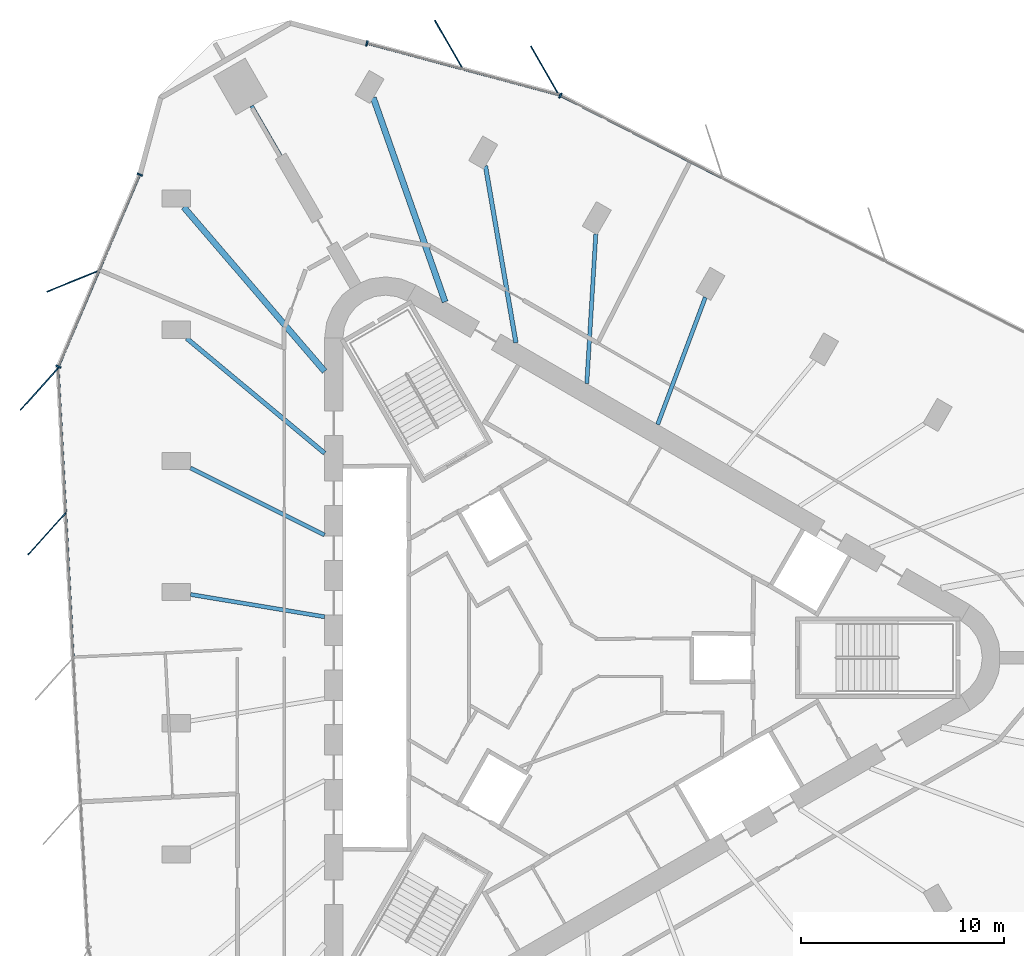
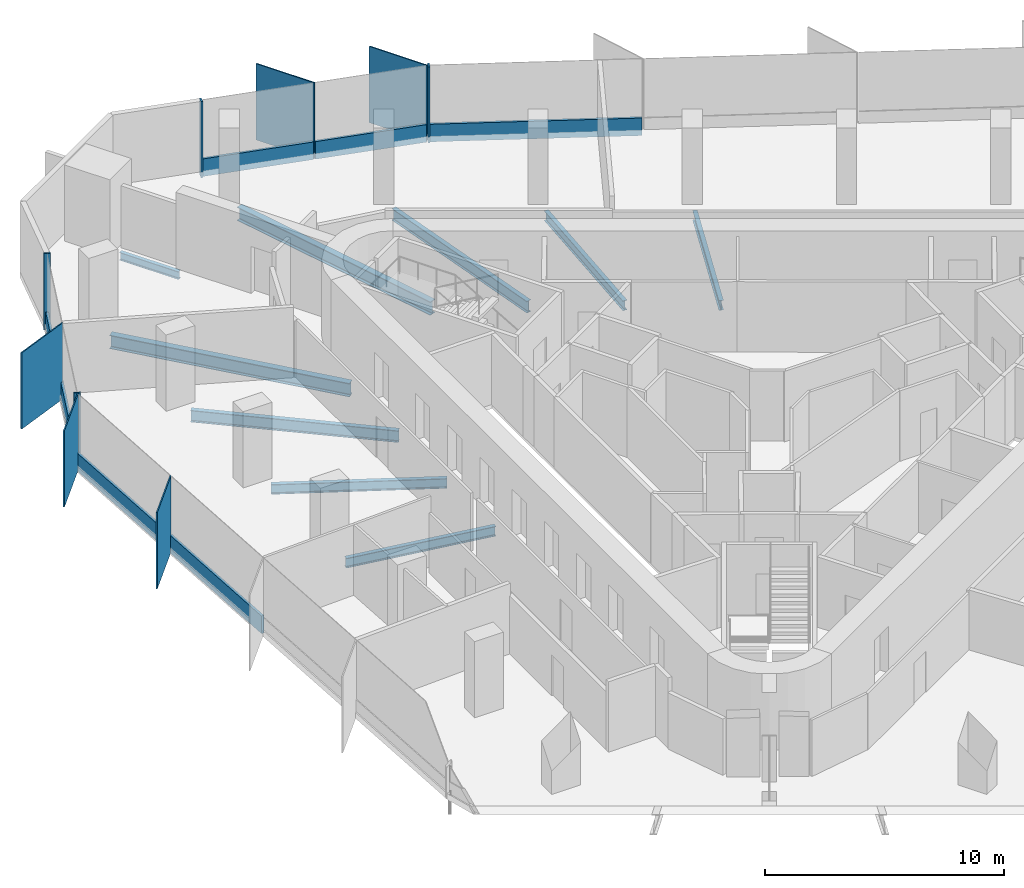
# One storey, part 4 of 12: 16 members, 9 beams, 4 elements without a shape of their own.
"""IFC4 building model written with IfcOpenShell, lengths in metres."""

from ifc_helpers import new_model, si_unit, direction, frame, origin, origin_2d, place, context, subcontext, project, spatial, rectangle, i_section, extrude, material, material_profile, profile_set, type_object, element, aggregate, save


model = new_model("IFC4")

# Units and contexts
model_context = context("Model", 3, precision=1e-05, world=origin(), true_north=direction((0.0, 1.0)))
body_context = subcontext(model_context, "Body", "Model", "MODEL_VIEW")
ifc_project = project(units=[si_unit("LENGTHUNIT", "METRE"), si_unit("AREAUNIT", "SQUARE_METRE"), si_unit("VOLUMEUNIT", "CUBIC_METRE"), si_unit("PLANEANGLEUNIT", "RADIAN"), si_unit("MASSUNIT", "GRAM", prefix="KILO")], contexts=[model_context])

# Site, building, storey
site_placement = place(None, origin())
site = spatial("IfcSite", under=ifc_project, at=site_placement, CompositionType="ELEMENT")
building_placement = place(site_placement, origin())
building = spatial("IfcBuilding", under=site, at=building_placement, Name="Tanit Gate Tower", CompositionType="ELEMENT")
storey_placement = place(building_placement, frame((0.0, 0.0, 361.10009765625)))
storey = spatial("IfcBuildingStorey", under=building, at=storey_placement, Name="L82", CompositionType="ELEMENT", Elevation=361.10009765625)

# Curtain wall, members
ifc_material_1 = material(Name="Aluminium bronze anodised and glass", Category="aluminium")
curtain_wall_type = type_object("IfcCurtainWallType", Name="Curtain wall typical high", PredefinedType="NOTDEFINED", material=ifc_material_1)
curtain_wall_1_placement = place(storey_placement, origin())
curtain_wall_1 = element("IfcCurtainWall", 1, at=curtain_wall_1_placement, inside=storey, type_object=curtain_wall_type, Name="Curtain wall L82 NE3", PredefinedType="NOTDEFINED")
ifc_material_2 = material(Name="Aluminium bronze anodised", Category="aluminium")
ifc_material_profile_1 = material_profile(ifc_material_2, rectangle(XDim=2.800048828125, YDim=0.055908203125, at=origin_2d()), Name="56x2800 bronze fin mullion")
ifc_profile_set_1 = profile_set([ifc_material_profile_1], Name="Aluminium bronze anodised")
member_type_1 = type_object("IfcMemberType", Name="FIN MULLION 56x2800 bronze", PredefinedType="MULLION", material=ifc_profile_set_1)
member_1_placement = place(storey_placement, frame((-1.247802734375, 28.92138671875, -0.300048828125), z_axis=(0.0, 0.0, 1.0), x_axis=(0.499728283218, -0.866182222718, 0.0)))
member_1 = element("IfcMember", 2, at=member_1_placement, type_object=member_type_1, Name="Fin mullion L82 NE3.1", PredefinedType="MULLION", context=body_context, shape_type="SweptSolid", body=[
    extrude(rectangle(XDim=2.800048828125, YDim=0.055908203125, at=origin_2d()), origin(), (0.0, 0.0, 1.0), 3.89990234375),
])
member_2_placement = place(storey_placement, frame((-5.977783203125, 30.1904296875, -0.300048828125), z_axis=(0.0, 0.0, 1.0), x_axis=(0.499728283218, -0.866182222718, 0.0)))
member_2 = element("IfcMember", 3, at=member_2_placement, type_object=member_type_1, Name="Fin mullion L82 NE3.2", PredefinedType="MULLION", context=body_context, shape_type="SweptSolid", body=[
    extrude(rectangle(XDim=2.800048828125, YDim=0.055908203125, at=origin_2d()), origin(), (0.0, 0.0, 1.0), 3.89990234375),
])

# Curtain wall, member
curtain_wall_2_placement = place(storey_placement, origin())
curtain_wall_2 = element("IfcCurtainWall", 4, at=curtain_wall_2_placement, inside=storey, type_object=curtain_wall_type, Name="Curtain wall L82 W1", PredefinedType="NOTDEFINED")
member_3_placement = place(storey_placement, frame((-24.489501953125, 18.553466796875, -0.300048828125), z_axis=(0.0, 0.0, 1.0), x_axis=(0.926847644188, 0.375437670544, 0.0)))
member_3 = element("IfcMember", 5, at=member_3_placement, type_object=member_type_1, Name="Fin mullion L82 W1.2", PredefinedType="MULLION", context=body_context, shape_type="SweptSolid", body=[
    extrude(rectangle(XDim=2.800048828125, YDim=0.055908203125, at=origin_2d()), origin(), (0.0, 0.0, 1.0), 3.89990234375),
])

# Curtain wall, members
curtain_wall_3_placement = place(storey_placement, origin())
curtain_wall_3 = element("IfcCurtainWall", 6, at=curtain_wall_3_placement, inside=storey, type_object=curtain_wall_type, Name="Curtain wall L82 W2", PredefinedType="NOTDEFINED")
member_4_placement = place(storey_placement, frame((-26.150634765625, 13.239990234375, -0.300048828125), z_axis=(0.0, 0.0, 1.0), x_axis=(0.66948111798, 0.742829073656, 0.0)))
member_4 = element("IfcMember", 7, at=member_4_placement, type_object=member_type_1, Name="Fin mullion L82 W2.1", PredefinedType="MULLION", context=body_context, shape_type="SweptSolid", body=[
    extrude(rectangle(XDim=2.800048828125, YDim=0.055908203125, at=origin_2d()), origin(), (0.0, 0.0, 1.0), 3.89990234375),
])
member_5_placement = place(storey_placement, frame((-25.780029296875, 6.106689453125, -0.300048828125), z_axis=(0.0, 0.0, 1.0), x_axis=(0.66948111798, 0.742829073656, 0.0)))
member_5 = element("IfcMember", 8, at=member_5_placement, type_object=member_type_1, Name="Fin mullion L82 W2.2", PredefinedType="MULLION", context=body_context, shape_type="SweptSolid", body=[
    extrude(rectangle(XDim=2.800048828125, YDim=0.055908203125, at=origin_2d()), origin(), (0.0, 0.0, 1.0), 3.89990234375),
])

# Curtain wall, member
curtain_wall_4_placement = place(storey_placement, origin())
curtain_wall_4 = element("IfcCurtainWall", 9, at=curtain_wall_4_placement, inside=storey, type_object=curtain_wall_type, Name="Curtain wall L82 NE2c", PredefinedType="NOTDEFINED")
ifc_material_3 = material(Name="Aluminium bronze anodised", Category="aluminium")
ifc_material_profile_2 = material_profile(ifc_material_3, rectangle(XDim=0.280029296875, YDim=0.080078125, at=origin_2d()), Name="80x280 bronze mullion")
ifc_profile_set_2 = profile_set([ifc_material_profile_2], Name="Aluminium bronze anodised")
member_type_2 = type_object("IfcMemberType", Name="Mullion 80x280 typical high", PredefinedType="MULLION", material=ifc_profile_set_2)
member_6_placement = place(storey_placement, frame((-0.48388671875, 27.697265625, -0.300048828125), z_axis=(0.0, 0.0, 1.0), x_axis=(-0.454410790552, -0.890792250432, 0.0)))
member_6 = element("IfcMember", 10, at=member_6_placement, type_object=member_type_2, Name="Mullion L82 NE2c.4", PredefinedType="MULLION", context=body_context, shape_type="SweptSolid", body=[
    extrude(rectangle(XDim=0.280029296875, YDim=0.080078125, at=origin_2d()), origin(), (0.0, 0.0, 1.0), 3.89990234375),
])

# Member
member_7_placement = place(storey_placement, frame((-10.01806640625, 30.263916015625, -0.300048828125), z_axis=(0.0, 0.0, 1.0), x_axis=(-0.259122065613, -0.965844581241, 0.0)))
member_7 = element("IfcMember", 11, at=member_7_placement, type_object=member_type_2, Name="Mullion L82 NE3.3", PredefinedType="MULLION", context=body_context, shape_type="SweptSolid", body=[
    extrude(rectangle(XDim=0.280029296875, YDim=0.080078125, at=origin_2d()), origin(), (0.0, 0.0, 1.0), 3.89990234375),
])

member_8_placement = place(storey_placement, frame((-21.207763671875, 23.801513671875, -0.300048828125), z_axis=(0.0, 0.0, 1.0), x_axis=(0.920854777087, -0.389905731577, 0.0)))
member_8 = element("IfcMember", 12, at=member_8_placement, type_object=member_type_2, Name="Mullion L82 W1.1", PredefinedType="MULLION", context=body_context, shape_type="SweptSolid", body=[
    extrude(rectangle(XDim=0.280029296875, YDim=0.080078125, at=origin_2d()), origin(), (0.0, 0.0, 1.0), 3.89990234375),
])

member_9_placement = place(storey_placement, frame((-25.212890625, 14.341796875, -0.300048828125), z_axis=(0.0, 0.0, 1.0), x_axis=(0.920854777087, -0.389905731577, 0.0)))
member_9 = element("IfcMember", 13, at=member_9_placement, type_object=member_type_2, Name="Mullion L82 W1.3", PredefinedType="MULLION", context=body_context, shape_type="SweptSolid", body=[
    extrude(rectangle(XDim=0.280029296875, YDim=0.080078125, at=origin_2d()), origin(), (0.0, 0.0, 1.0), 3.89990234375),
])

# Beams
ifc_material_4 = material(Name="Steel S355", Category="steel")
ifc_material_profile_3 = material_profile(ifc_material_4, i_section(OverallWidth=0.300048828125, OverallDepth=0.68994140625, WebThickness=0.014404296875, FlangeThickness=0.027099609375, FilletRadius=0.027099609375, at=origin_2d()), Name="HEA 700")
ifc_profile_set_3 = profile_set([ifc_material_profile_3], Name="Steel S355")
beam_type_1 = type_object("IfcBeamType", Name="RADIAL GIRDER HEA 700 S355", PredefinedType="BEAM", material=ifc_profile_set_3)
beam_1_placement = place(storey_placement, frame((-9.703857421875, 27.589599609375, -0.64501953125), z_axis=(0.331790708443, -0.943353022887, 0.0), x_axis=(0.943353022887, 0.331790708443, 0.0)))
element("IfcBeam", 14, at=beam_1_placement, inside=storey, type_object=beam_type_1, Name="RADIAL GIRDER", PredefinedType="BEAM", context=body_context, shape_type="SweptSolid", body=[
    extrude(i_section(OverallWidth=0.300048828125, OverallDepth=0.68994140625, WebThickness=0.014404296875, FlangeThickness=0.027099609375, FilletRadius=0.027099609375, at=origin_2d()), origin(), (0.0, 0.0, 1.0), 10.658447265625),
])
beam_2_placement = place(storey_placement, frame((-19.041259765625, 22.198486328125, -0.64501953125), z_axis=(0.651064859014, -0.759022100704, 0.0), x_axis=(0.759022100704, 0.651064859014, 0.0)))
element("IfcBeam", 15, at=beam_2_placement, inside=storey, type_object=beam_type_1, Name="RADIAL GIRDER", PredefinedType="BEAM", context=body_context, shape_type="SweptSolid", body=[
    extrude(i_section(OverallWidth=0.300048828125, OverallDepth=0.68994140625, WebThickness=0.014404296875, FlangeThickness=0.027099609375, FilletRadius=0.027099609375, at=origin_2d()), origin(), (0.0, 0.0, 1.0), 10.658203125),
])
ifc_material_5 = material(Name="Steel S355", Category="steel")
ifc_material_profile_4 = material_profile(ifc_material_5, i_section(OverallWidth=0.179931640625, OverallDepth=0.39990234375, WebThickness=0.008544921875, FlangeThickness=0.013427734375, FilletRadius=0.02099609375, at=origin_2d()), Name="IPE 400")
ifc_profile_set_4 = profile_set([ifc_material_profile_4], Name="Steel S355")
beam_type_2 = type_object("IfcBeamType", Name="RADIAL GIRDER IPE 400 S355", PredefinedType="BEAM", material=ifc_profile_set_4)
beam_3_placement = place(storey_placement, frame((-15.69580078125, 27.185791015625, -0.5), z_axis=(0.500068051468, -0.865986110686, 0.0), x_axis=(0.865986110686, 0.500068051468, 0.0)))
element("IfcBeam", 16, at=beam_3_placement, inside=storey, type_object=beam_type_2, Name="RADIAL GIRDER", PredefinedType="BEAM", context=body_context, shape_type="SweptSolid", body=[
    extrude(i_section(OverallWidth=0.179931640625, OverallDepth=0.39990234375, WebThickness=0.008544921875, FlangeThickness=0.013427734375, FilletRadius=0.02099609375, at=origin_2d()), origin(), (0.0, 0.0, 1.0), 2.853515625),
])
ifc_material_6 = material(Name="Steel S355", Category="steel")
ifc_material_profile_5 = material_profile(ifc_material_6, i_section(OverallWidth=0.199951171875, OverallDepth=0.5, WebThickness=0.01025390625, FlangeThickness=0.01611328125, FilletRadius=0.02099609375, at=origin_2d()), Name="IPE 500")
ifc_profile_set_5 = profile_set([ifc_material_profile_5], Name="Steel S355")
beam_type_3 = type_object("IfcBeamType", Name="RADIAL GIRDER IPE 500 S355", PredefinedType="BEAM", material=ifc_profile_set_5)
beam_4_placement = place(storey_placement, frame((6.655029296875, 17.75732421875, -0.550048828125), z_axis=(-0.350955589185, -0.93639210506, 0.0), x_axis=(0.93639210506, -0.350955589185, 0.0)))
element("IfcBeam", 17, at=beam_4_placement, inside=storey, type_object=beam_type_3, Name="RADIAL GIRDER", PredefinedType="BEAM", context=body_context, shape_type="SweptSolid", body=[
    extrude(i_section(OverallWidth=0.199951171875, OverallDepth=0.5, WebThickness=0.01025390625, FlangeThickness=0.01611328125, FilletRadius=0.02099609375, at=origin_2d()), origin(), (0.0, 0.0, 1.0), 6.69482421875),
])
beam_5_placement = place(storey_placement, frame((1.259033203125, 20.872802734375, -0.550048828125), z_axis=(-0.060222471201, -0.998184979832, 0.0), x_axis=(0.998184979832, -0.060222471201, 0.0)))
element("IfcBeam", 18, at=beam_5_placement, inside=storey, type_object=beam_type_3, Name="RADIAL GIRDER", PredefinedType="BEAM", context=body_context, shape_type="SweptSolid", body=[
    extrude(i_section(OverallWidth=0.199951171875, OverallDepth=0.5, WebThickness=0.01025390625, FlangeThickness=0.01611328125, FilletRadius=0.02099609375, at=origin_2d()), origin(), (0.0, 0.0, 1.0), 7.38232421875),
])
beam_6_placement = place(storey_placement, frame((-18.705810546875, 9.34619140625, -0.550048828125), z_axis=(0.894552827641, -0.44696223393, 0.0), x_axis=(0.44696223393, 0.894552827641, 0.0)))
element("IfcBeam", 19, at=beam_6_placement, inside=storey, type_object=beam_type_3, Name="RADIAL GIRDER", PredefinedType="BEAM", context=body_context, shape_type="SweptSolid", body=[
    extrude(i_section(OverallWidth=0.199951171875, OverallDepth=0.5, WebThickness=0.01025390625, FlangeThickness=0.01611328125, FilletRadius=0.02099609375, at=origin_2d()), origin(), (0.0, 0.0, 1.0), 7.382080078125),
])
beam_7_placement = place(storey_placement, frame((-18.705810546875, 3.115234375, -0.550048828125), z_axis=(0.986412644048, -0.164286626546, 0.0), x_axis=(0.164286626546, 0.986412644048, 0.0)))
element("IfcBeam", 20, at=beam_7_placement, inside=storey, type_object=beam_type_3, Name="RADIAL GIRDER", PredefinedType="BEAM", context=body_context, shape_type="SweptSolid", body=[
    extrude(i_section(OverallWidth=0.199951171875, OverallDepth=0.5, WebThickness=0.01025390625, FlangeThickness=0.01611328125, FilletRadius=0.02099609375, at=origin_2d()), origin(), (0.0, 0.0, 1.0), 6.69482421875),
])
ifc_material_7 = material(Name="Steel S355", Category="steel")
ifc_material_profile_6 = material_profile(ifc_material_7, i_section(OverallWidth=0.219970703125, OverallDepth=0.60009765625, WebThickness=0.011962890625, FlangeThickness=0.01904296875, FilletRadius=0.02392578125, at=origin_2d()), Name="IPE 600")
ifc_profile_set_6 = profile_set([ifc_material_profile_6], Name="Steel S355")
beam_type_4 = type_object("IfcBeamType", Name="RADIAL GIRDER IPE 600 S355", PredefinedType="BEAM", material=ifc_profile_set_6)
beam_8_placement = place(storey_placement, frame((-4.178955078125, 24.231201171875, -0.60009765625), z_axis=(0.169949456618, -0.985452780297, 0.0), x_axis=(0.985452780297, 0.169949456618, 0.0)))
element("IfcBeam", 21, at=beam_8_placement, inside=storey, type_object=beam_type_4, Name="RADIAL GIRDER", PredefinedType="BEAM", context=body_context, shape_type="SweptSolid", body=[
    extrude(i_section(OverallWidth=0.219970703125, OverallDepth=0.60009765625, WebThickness=0.011962890625, FlangeThickness=0.01904296875, FilletRadius=0.02392578125, at=origin_2d()), origin(), (0.0, 0.0, 1.0), 8.840576171875),
])
beam_9_placement = place(storey_placement, frame((-18.8955078125, 15.734619140625, -0.60009765625), z_axis=(0.768456646973, -0.639901853195, 0.0), x_axis=(0.639901853195, 0.768456646973, 0.0)))
element("IfcBeam", 22, at=beam_9_placement, inside=storey, type_object=beam_type_4, Name="RADIAL GIRDER", PredefinedType="BEAM", context=body_context, shape_type="SweptSolid", body=[
    extrude(i_section(OverallWidth=0.219970703125, OverallDepth=0.60009765625, WebThickness=0.011962890625, FlangeThickness=0.01904296875, FilletRadius=0.02392578125, at=origin_2d()), origin(), (0.0, 0.0, 1.0), 8.84033203125),
])

# Member
ifc_material_8 = material(Name="Aluminium bronze anodised", Category="aluminium")
ifc_material_profile_7 = material_profile(ifc_material_8, rectangle(XDim=0.1201171875, YDim=0.89990234375, at=origin_2d()), Name="120x900 bronze transom")
ifc_profile_set_7 = profile_set([ifc_material_profile_7], Name="Aluminium bronze anodised")
member_type_3 = type_object("IfcMemberType", Name="Transom 120x900 typical high", PredefinedType="USERDEFINED", material=ifc_profile_set_7)
member_10_placement = place(storey_placement, frame((7.490234375, 23.629638671875, 0.14990234375), z_axis=(-0.890792875458, 0.454409565298, 0.0), x_axis=(-0.454409565298, -0.890792875458, 0.0)))
member_10 = element("IfcMember", 23, at=member_10_placement, type_object=member_type_3, Name="Transom L82 NE2c.3", ObjectType="TRANSOM", PredefinedType="USERDEFINED", context=body_context, shape_type="SweptSolid", body=[
    extrude(rectangle(XDim=0.1201171875, YDim=0.89990234375, at=origin_2d()), origin(), (0.0, 0.0, 1.0), 8.91162109375),
])

aggregate(curtain_wall_4, [member_6, member_10])

member_11_placement = place(storey_placement, frame((-0.5966796875, 27.736328125, 0.14990234375), z_axis=(-0.965853664753, 0.259088205605, 0.0), x_axis=(-0.259088205605, -0.965853664753, 0.0)))
member_11 = element("IfcMember", 24, at=member_11_placement, type_object=member_type_3, Name="Transom L82 NE3.1", ObjectType="TRANSOM", PredefinedType="USERDEFINED", context=body_context, shape_type="SweptSolid", body=[
    extrude(rectangle(XDim=0.1201171875, YDim=0.89990234375, at=origin_2d()), origin(), (0.0, 0.0, 1.0), 4.817138671875),
])

member_12_placement = place(storey_placement, frame((-5.32666015625, 29.005126953125, 0.14990234375), z_axis=(-0.965840980944, 0.259135484891, 0.0), x_axis=(-0.259135484891, -0.965840980944, 0.0)))
member_12 = element("IfcMember", 25, at=member_12_placement, type_object=member_type_3, Name="Transom L82 NE3.2", ObjectType="TRANSOM", PredefinedType="USERDEFINED", context=body_context, shape_type="SweptSolid", body=[
    extrude(rectangle(XDim=0.1201171875, YDim=0.89990234375, at=origin_2d()), origin(), (0.0, 0.0, 1.0), 4.817138671875),
])

aggregate(curtain_wall_1, [member_1, member_2, member_7, member_11, member_12])

member_13_placement = place(storey_placement, frame((-21.223388671875, 23.7646484375, 0.14990234375), z_axis=(-0.389888845376, -0.920861926812, 0.0), x_axis=(0.920861926812, -0.389888845376, 0.0)))
member_13 = element("IfcMember", 26, at=member_13_placement, type_object=member_type_3, Name="Transom L82 W1.1", ObjectType="TRANSOM", PredefinedType="USERDEFINED", context=body_context, shape_type="SweptSolid", body=[
    extrude(rectangle(XDim=0.1201171875, YDim=0.89990234375, at=origin_2d()), origin(), (0.0, 0.0, 1.0), 5.056396484375),
])

member_14_placement = place(storey_placement, frame((-23.225830078125, 19.034912109375, 0.14990234375), z_axis=(-0.389929787941, -0.920844590838, 0.0), x_axis=(0.920844590838, -0.389929787941, 0.0)))
member_14 = element("IfcMember", 27, at=member_14_placement, type_object=member_type_3, Name="Transom L82 W1.2", ObjectType="TRANSOM", PredefinedType="USERDEFINED", context=body_context, shape_type="SweptSolid", body=[
    extrude(rectangle(XDim=0.1201171875, YDim=0.89990234375, at=origin_2d()), origin(), (0.0, 0.0, 1.0), 5.056396484375),
])

aggregate(curtain_wall_2, [member_8, member_3, member_9, member_13, member_14])

member_15_placement = place(storey_placement, frame((-25.224365234375, 14.22509765625, 0.14990234375), z_axis=(0.051851236753, -0.998654819869, 0.0), x_axis=(0.998654819869, 0.051851236753, 0.0)))
member_15 = element("IfcMember", 28, at=member_15_placement, type_object=member_type_3, Name="Transom L82 W2.1", ObjectType="TRANSOM", PredefinedType="USERDEFINED", context=body_context, shape_type="SweptSolid", body=[
    extrude(rectangle(XDim=0.1201171875, YDim=0.89990234375, at=origin_2d()), origin(), (0.0, 0.0, 1.0), 7.062744140625),
])

member_16_placement = place(storey_placement, frame((-24.85400390625, 7.092041015625, 0.14990234375), z_axis=(0.051851236753, -0.998654819869, 0.0), x_axis=(0.998654819869, 0.051851236753, 0.0)))
member_16 = element("IfcMember", 29, at=member_16_placement, type_object=member_type_3, Name="Transom L82 W2.2", ObjectType="TRANSOM", PredefinedType="USERDEFINED", context=body_context, shape_type="SweptSolid", body=[
    extrude(rectangle(XDim=0.1201171875, YDim=0.89990234375, at=origin_2d()), origin(), (0.0, 0.0, 1.0), 7.062744140625),
])

aggregate(curtain_wall_3, [member_4, member_5, member_15, member_16])

save(model, "model.ifc")
